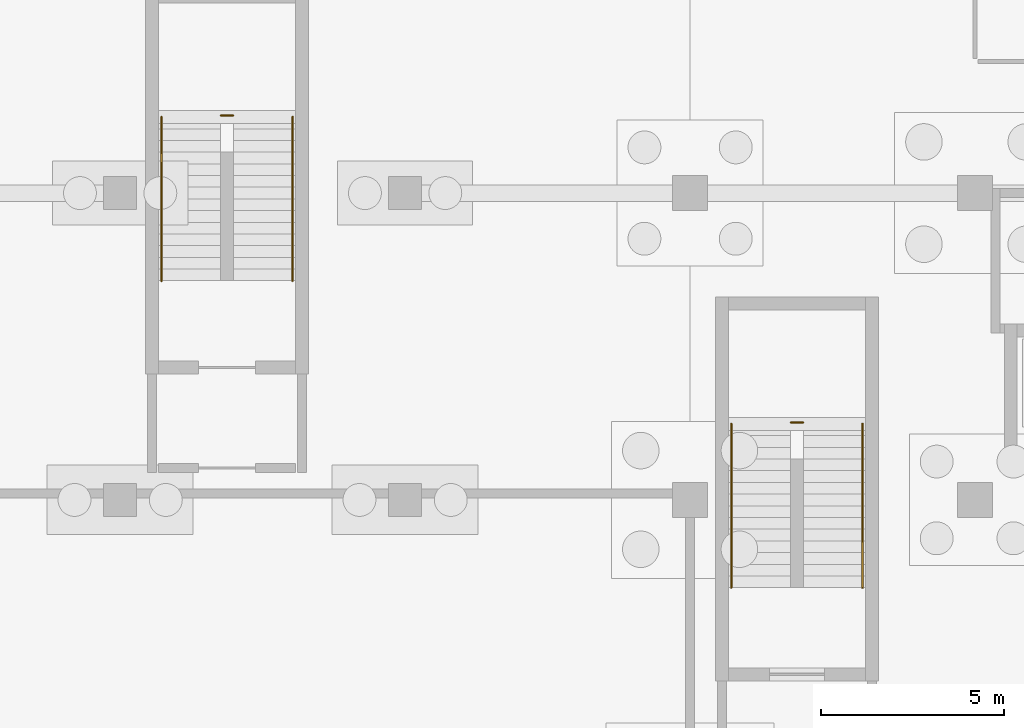
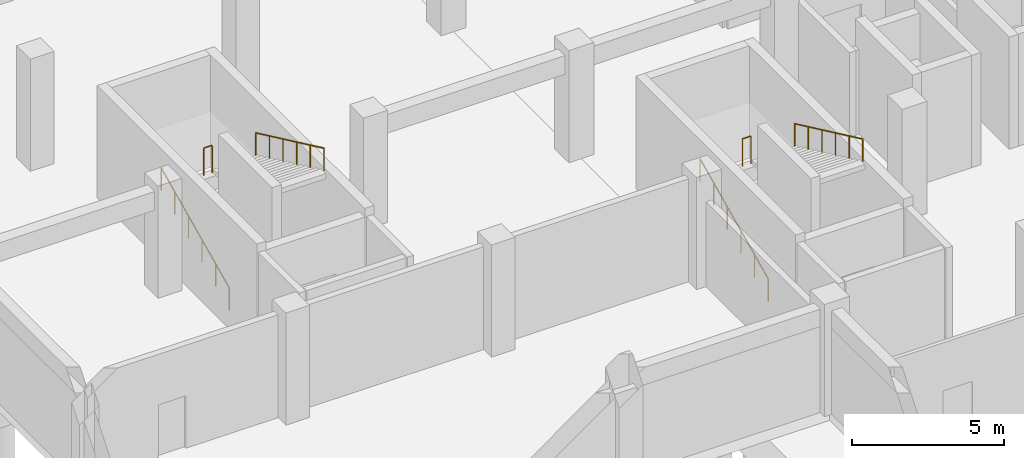
# One storey, part 24 of 30: 6 railings.
"""IFC4 building model written with IfcOpenShell, lengths in metres."""

from ifc_helpers import new_model, si_unit, direction, frame, origin, origin_2d, place, context, subcontext, project, spatial, circle, extrude, material, type_object, element, save


model = new_model("IFC4")

# Units and contexts
model_context = context("Model", 3, precision=1e-05, world=origin(), true_north=direction((0.0, 1.0)))
body_context = subcontext(model_context, "Body", "Model", "MODEL_VIEW")
ifc_project = project(units=[si_unit("LENGTHUNIT", "METRE"), si_unit("AREAUNIT", "SQUARE_METRE"), si_unit("VOLUMEUNIT", "CUBIC_METRE"), si_unit("PLANEANGLEUNIT", "RADIAN"), si_unit("MASSUNIT", "GRAM", prefix="KILO"), si_unit("THERMODYNAMICTEMPERATUREUNIT", "KELVIN"), si_unit("POWERUNIT", "WATT")], contexts=[model_context])

# Site, building, storey
site_placement = place(None, origin())
site = spatial("IfcSite", under=ifc_project, at=site_placement, CompositionType="ELEMENT")
building_placement = place(site_placement, origin())
building = spatial("IfcBuilding", under=site, at=building_placement, Name="Srebrne Nadtorze General Hospital", CompositionType="ELEMENT")
storey_placement = place(building_placement, frame((0.0, 0.0, -4.5)))
storey = spatial("IfcBuildingStorey", under=building, at=storey_placement, Name="B1", CompositionType="ELEMENT", Elevation=-4.5)

# Railings
ifc_material_1 = material(Name="Stainless Steel 316", Category="steel")
railing_type_1 = type_object("IfcRailingType", Name="Stairwell safety guard 1120", PredefinedType="BALUSTRADE", material=ifc_material_1)
for number, where, name in (
    (1, (26.1650390625, 44.1201171875, 2.25), "Half landing well guard ST-01-B1"),
    (2, (10.56494140625, 52.52001953125, 2.25), "Half landing well guard ST-05-B1"),
):
    element("IfcRailing", number, at=place(storey_placement, frame(where)), inside=storey, type_object=railing_type_1, Name=name, PredefinedType="BALUSTRADE", context=body_context, shape_type="SweptSolid", body=[
        extrude(circle(Radius=0.02392578125, at=origin_2d()), frame((0.0, 0.0, 1.09619140625), z_axis=(1.0, 0.0, 0.0), x_axis=(0.0, 1.0, 0.0)), (0.0, 0.0, 1.0), 0.320068359375),
        extrude(circle(Radius=0.02099609375, at=origin_2d()), origin(), (0.0, 0.0, 1.0), 1.072021484375),
        extrude(circle(Radius=0.02099609375, at=origin_2d()), frame((0.320068359375, 0.0, 0.0)), (0.0, 0.0, 1.0), 1.072021484375),
    ])
ifc_material_2 = material(Name="Stainless Steel 316", Category="steel")
railing_type_2 = type_object("IfcRailingType", Name="Tubular stainless handrail 920", PredefinedType="HANDRAIL", material=ifc_material_2)
railing_1_placement = place(storey_placement, frame((24.530029296875, 39.60009765625, 0.14990234375)))
element("IfcRailing", 3, at=railing_1_placement, inside=storey, type_object=railing_type_2, Name="Stair flight handrail ST-01-B1 F1", PredefinedType="HANDRAIL", context=body_context, shape_type="SweptSolid", body=[
    extrude(circle(Radius=0.02392578125, at=origin_2d()), frame((0.0, 0.0, 0.89599609375), z_axis=(0.0, 0.905450639465, 0.424451574969), x_axis=(-1.0, 0.0, 0.0)), (0.0, 0.0, 1.0), 4.94775390625),
    extrude(circle(Radius=0.02099609375, at=origin_2d()), origin(), (0.0, 0.0, 1.0), 0.871826171875),
    extrude(circle(Radius=0.02099609375, at=origin_2d()), frame((0.0, 0.89599609375, 0.419921875)), (0.0, 0.0, 1.0), 0.871826171875),
    extrude(circle(Radius=0.02099609375, at=origin_2d()), frame((0.0, 1.7919921875, 0.840087890625)), (0.0, 0.0, 1.0), 0.871826171875),
    extrude(circle(Radius=0.02099609375, at=origin_2d()), frame((0.0, 2.68798828125, 1.260009765625)), (0.0, 0.0, 1.0), 0.871826171875),
    extrude(circle(Radius=0.02099609375, at=origin_2d()), frame((0.0, 3.583984375, 1.68017578125)), (0.0, 0.0, 1.0), 0.871826171875),
    extrude(circle(Radius=0.02099609375, at=origin_2d()), frame((0.0, 4.47998046875, 2.10009765625)), (0.0, 0.0, 1.0), 0.871826171875),
])
railing_2_placement = place(storey_placement, frame((28.1201171875, 44.080078125, 2.39990234375)))
element("IfcRailing", 4, at=railing_2_placement, inside=storey, type_object=railing_type_2, Name="Stair flight handrail ST-01-B1 F2", PredefinedType="HANDRAIL", context=body_context, shape_type="SweptSolid", body=[
    extrude(circle(Radius=0.02392578125, at=origin_2d()), frame((0.0, 0.0, 0.89599609375), z_axis=(0.0, -0.905450639465, 0.424451574969), x_axis=(1.0, 0.0, 0.0)), (0.0, 0.0, 1.0), 4.94775390625),
    extrude(circle(Radius=0.02099609375, at=origin_2d()), origin(), (0.0, 0.0, 1.0), 0.871826171875),
    extrude(circle(Radius=0.02099609375, at=origin_2d()), frame((0.0, -0.89599609375, 0.419921875)), (0.0, 0.0, 1.0), 0.871826171875),
    extrude(circle(Radius=0.02099609375, at=origin_2d()), frame((0.0, -1.7919921875, 0.840087890625)), (0.0, 0.0, 1.0), 0.871826171875),
    extrude(circle(Radius=0.02099609375, at=origin_2d()), frame((0.0, -2.68798828125, 1.260009765625)), (0.0, 0.0, 1.0), 0.871826171875),
    extrude(circle(Radius=0.02099609375, at=origin_2d()), frame((0.0, -3.583984375, 1.68017578125)), (0.0, 0.0, 1.0), 0.871826171875),
    extrude(circle(Radius=0.02099609375, at=origin_2d()), frame((0.0, -4.47998046875, 2.10009765625)), (0.0, 0.0, 1.0), 0.871826171875),
])
railing_3_placement = place(storey_placement, frame((8.929931640625, 48.0, 0.14990234375)))
element("IfcRailing", 5, at=railing_3_placement, inside=storey, type_object=railing_type_2, Name="Stair flight handrail ST-05-B1 F1", PredefinedType="HANDRAIL", context=body_context, shape_type="SweptSolid", body=[
    extrude(circle(Radius=0.02392578125, at=origin_2d()), frame((0.0, 0.0, 0.89599609375), z_axis=(0.0, 0.905450639465, 0.424451574969), x_axis=(-1.0, 0.0, 0.0)), (0.0, 0.0, 1.0), 4.94775390625),
    extrude(circle(Radius=0.02099609375, at=origin_2d()), origin(), (0.0, 0.0, 1.0), 0.871826171875),
    extrude(circle(Radius=0.02099609375, at=origin_2d()), frame((0.0, 0.89599609375, 0.419921875)), (0.0, 0.0, 1.0), 0.871826171875),
    extrude(circle(Radius=0.02099609375, at=origin_2d()), frame((0.0, 1.7919921875, 0.840087890625)), (0.0, 0.0, 1.0), 0.871826171875),
    extrude(circle(Radius=0.02099609375, at=origin_2d()), frame((0.0, 2.68798828125, 1.260009765625)), (0.0, 0.0, 1.0), 0.871826171875),
    extrude(circle(Radius=0.02099609375, at=origin_2d()), frame((0.0, 3.583984375, 1.68017578125)), (0.0, 0.0, 1.0), 0.871826171875),
    extrude(circle(Radius=0.02099609375, at=origin_2d()), frame((0.0, 4.47998046875, 2.10009765625)), (0.0, 0.0, 1.0), 0.871826171875),
])
railing_4_placement = place(storey_placement, frame((12.52001953125, 52.47998046875, 2.39990234375)))
element("IfcRailing", 6, at=railing_4_placement, inside=storey, type_object=railing_type_2, Name="Stair flight handrail ST-05-B1 F2", PredefinedType="HANDRAIL", context=body_context, shape_type="SweptSolid", body=[
    extrude(circle(Radius=0.02392578125, at=origin_2d()), frame((0.0, 0.0, 0.89599609375), z_axis=(0.0, -0.905450639465, 0.424451574969), x_axis=(1.0, 0.0, 0.0)), (0.0, 0.0, 1.0), 4.94775390625),
    extrude(circle(Radius=0.02099609375, at=origin_2d()), origin(), (0.0, 0.0, 1.0), 0.871826171875),
    extrude(circle(Radius=0.02099609375, at=origin_2d()), frame((0.0, -0.89599609375, 0.419921875)), (0.0, 0.0, 1.0), 0.871826171875),
    extrude(circle(Radius=0.02099609375, at=origin_2d()), frame((0.0, -1.7919921875, 0.840087890625)), (0.0, 0.0, 1.0), 0.871826171875),
    extrude(circle(Radius=0.02099609375, at=origin_2d()), frame((0.0, -2.68798828125, 1.260009765625)), (0.0, 0.0, 1.0), 0.871826171875),
    extrude(circle(Radius=0.02099609375, at=origin_2d()), frame((0.0, -3.583984375, 1.68017578125)), (0.0, 0.0, 1.0), 0.871826171875),
    extrude(circle(Radius=0.02099609375, at=origin_2d()), frame((0.0, -4.47998046875, 2.10009765625)), (0.0, 0.0, 1.0), 0.871826171875),
])

save(model, "model.ifc")
